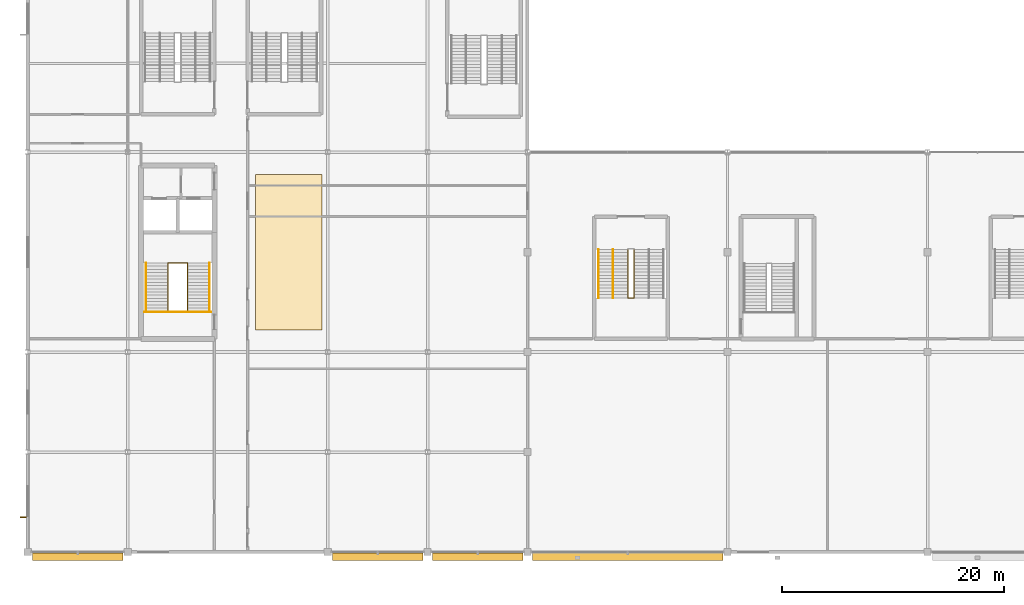
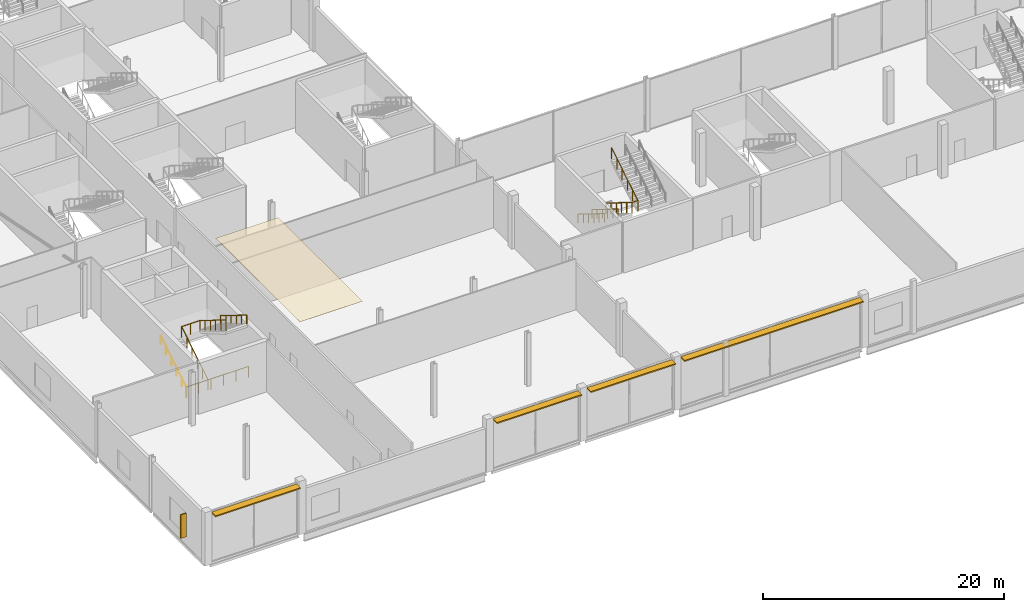
# One storey, part 96 of 111: 7 railings, 5 shading devices, 1 covering.
"""IFC4 building model written with IfcOpenShell, lengths in metres."""

from ifc_helpers import new_model, si_unit, direction, frame, origin, origin_2d, place, context, subcontext, project, spatial, polyline, rectangle, circle, outline, extrude, material, layer, layer_set, type_object, element, save


model = new_model("IFC4")

# Units and contexts
model_context = context("Model", 3, precision=1e-05, world=origin(), true_north=direction((0.0, 1.0)))
body_context = subcontext(model_context, "Body", "Model", "MODEL_VIEW")
ifc_project = project(units=[si_unit("LENGTHUNIT", "METRE"), si_unit("AREAUNIT", "SQUARE_METRE"), si_unit("VOLUMEUNIT", "CUBIC_METRE"), si_unit("PLANEANGLEUNIT", "RADIAN"), si_unit("MASSUNIT", "GRAM", prefix="KILO")], contexts=[model_context])

# Site, building, storey
site_placement = place(None, origin())
site = spatial("IfcSite", under=ifc_project, at=site_placement, CompositionType="ELEMENT")
building_placement = place(site_placement, origin())
building = spatial("IfcBuilding", under=site, at=building_placement, Name="Kisiwana Market Hall", CompositionType="ELEMENT")
storey_placement = place(building_placement, frame((0.0, 0.0, 11.39990234375)))
storey = spatial("IfcBuildingStorey", under=building, at=storey_placement, Name="L02", CompositionType="ELEMENT", Elevation=11.39990234375)

# Covering
ifc_material_1 = material(Name="Mineral-fibre acoustic ceiling board")
ifc_layer = layer(ifc_material_1, 0.02490234375)
ifc_layer_set = layer_set([ifc_layer], Name="COV-CEIL-AC")
covering_type = type_object("IfcCoveringType", Name="COV-CEIL-AC", PredefinedType="CEILING", material=ifc_layer_set)
covering_placement = place(storey_placement, frame((0.0, 0.0, 5.125)))
element("IfcCovering", 1, at=covering_placement, inside=storey, type_object=covering_type, Name="Acoustic ceiling grid L02-011", PredefinedType="CEILING", context=body_context, shape_type="SweptSolid", body=[
    extrude(outline(polyline([(20.5, 20.0), (26.5, 20.0), (26.5, 34.0), (20.5, 34.0), (20.5, 20.0)])), origin(), (0.0, 0.0, 1.0), 0.025146484375),
])

# Railings
ifc_material_2 = material(Name="Steel S275", Category="steel")
railing_type_1 = type_object("IfcRailingType", Name="RL-GUARD-1100", PredefinedType="GUARDRAIL", material=ifc_material_2)
railing_1_placement = place(storey_placement, frame((12.625, 21.674560546875, 0.0)))
element("IfcRailing", 2, at=railing_1_placement, inside=storey, type_object=railing_type_1, Name="Stair ST-W2-L02 inner-well guardrail (RL-475)", PredefinedType="GUARDRAIL", context=body_context, shape_type="SweptSolid", body=[
    extrude(circle(Radius=0.02392578125, at=origin_2d()), frame((0.0, 0.0, 1.076171875), z_axis=(0.0, 0.849615114927, 0.52740322002), x_axis=(-1.0, 0.0, 0.0)), (0.0, 0.0, 1.0), 5.119873046875),
    extrude(circle(Radius=0.02392578125, at=origin_2d()), frame((0.0, 4.349853515625, 3.7763671875), z_axis=(1.0, 0.0, 0.0), x_axis=(0.0, 1.0, 0.0)), (0.0, 0.0, 1.0), 1.75),
    extrude(circle(Radius=0.02392578125, at=origin_2d()), frame((1.75, 4.349853515625, 3.7763671875), z_axis=(0.0, -0.849636482215, 0.527368797038), x_axis=(1.0, 0.0, 0.0)), (0.0, 0.0, 1.0), 5.11962890625),
    extrude(circle(Radius=0.02099609375, at=origin_2d()), origin(), (0.0, 0.0, 1.0), 1.052001953125),
    extrude(circle(Radius=0.02099609375, at=origin_2d()), frame((0.0, 0.869873046875, 0.5400390625)), (0.0, 0.0, 1.0), 1.052001953125),
    extrude(circle(Radius=0.02099609375, at=origin_2d()), frame((0.0, 1.739990234375, 1.080078125)), (0.0, 0.0, 1.0), 1.052001953125),
    extrude(circle(Radius=0.02099609375, at=origin_2d()), frame((0.0, 2.60986328125, 1.6201171875)), (0.0, 0.0, 1.0), 1.052001953125),
    extrude(circle(Radius=0.02099609375, at=origin_2d()), frame((0.0, 3.47998046875, 2.16015625)), (0.0, 0.0, 1.0), 1.052001953125),
    extrude(circle(Radius=0.02099609375, at=origin_2d()), frame((0.0, 4.349853515625, 2.7001953125)), (0.0, 0.0, 1.0), 1.052001953125),
    extrude(circle(Radius=0.02099609375, at=origin_2d()), frame((0.875, 4.349853515625, 2.7001953125)), (0.0, 0.0, 1.0), 1.052001953125),
    extrude(circle(Radius=0.02099609375, at=origin_2d()), frame((1.75, 4.349853515625, 2.7001953125)), (0.0, 0.0, 1.0), 1.052001953125),
    extrude(circle(Radius=0.02099609375, at=origin_2d()), frame((1.75, 3.47998046875, 3.240234375)), (0.0, 0.0, 1.0), 1.052001953125),
    extrude(circle(Radius=0.02099609375, at=origin_2d()), frame((1.75, 2.60986328125, 3.7802734375)), (0.0, 0.0, 1.0), 1.052001953125),
    extrude(circle(Radius=0.02099609375, at=origin_2d()), frame((1.75, 1.739990234375, 4.320068359375)), (0.0, 0.0, 1.0), 1.052001953125),
    extrude(circle(Radius=0.02099609375, at=origin_2d()), frame((1.75, 0.869873046875, 4.860107421875)), (0.0, 0.0, 1.0), 1.052001953125),
    extrude(circle(Radius=0.02099609375, at=origin_2d()), frame((1.75, 0.0, 5.400146484375)), (0.0, 0.0, 1.0), 1.052001953125),
])
railing_2_placement = place(storey_placement, frame((10.5048828125, 21.594482421875, 0.0)))
element("IfcRailing", 3, at=railing_2_placement, inside=storey, type_object=railing_type_1, Name="Stair ST-W2-L02 landing edge guardrail (RL-478)", PredefinedType="GUARDRAIL", context=body_context, shape_type="SweptSolid", body=[
    extrude(circle(Radius=0.02392578125, at=origin_2d()), frame((0.0, 0.0, 1.076171875), z_axis=(1.0, 0.0, 0.0), x_axis=(0.0, 1.0, 0.0)), (0.0, 0.0, 1.0), 5.990234375),
    extrude(circle(Radius=0.02099609375, at=origin_2d()), origin(), (0.0, 0.0, 1.0), 1.052001953125),
    extrude(circle(Radius=0.02099609375, at=origin_2d()), frame((1.197998046875, 0.0, 0.0)), (0.0, 0.0, 1.0), 1.052001953125),
    extrude(circle(Radius=0.02099609375, at=origin_2d()), frame((2.39599609375, 0.0, 0.0)), (0.0, 0.0, 1.0), 1.052001953125),
    extrude(circle(Radius=0.02099609375, at=origin_2d()), frame((3.59423828125, 0.0, 0.0)), (0.0, 0.0, 1.0), 1.052001953125),
    extrude(circle(Radius=0.02099609375, at=origin_2d()), frame((4.792236328125, 0.0, 0.0)), (0.0, 0.0, 1.0), 1.052001953125),
    extrude(circle(Radius=0.02099609375, at=origin_2d()), frame((5.990234375, 0.0, 0.0)), (0.0, 0.0, 1.0), 1.052001953125),
])
railing_3_placement = place(storey_placement, frame((54.02001953125, 27.239990234375, 0.0)))
element("IfcRailing", 4, at=railing_3_placement, inside=storey, type_object=railing_type_1, Name="Stair ST-S3-L02 inner-well guardrail (RL-591)", PredefinedType="GUARDRAIL", context=body_context, shape_type="SweptSolid", body=[
    extrude(circle(Radius=0.02392578125, at=origin_2d()), frame((0.0, 0.0, 1.076171875), z_axis=(0.0, -0.849628378081, 0.527381853271), x_axis=(1.0, 0.0, 0.0)), (0.0, 0.0, 1.0), 5.1201171875),
    extrude(circle(Radius=0.02392578125, at=origin_2d()), frame((0.0, -4.35009765625, 3.7763671875), z_axis=(1.0, 0.0, 0.0), x_axis=(0.0, 1.0, 0.0)), (0.0, 0.0, 1.0), 0.56005859375),
    extrude(circle(Radius=0.02392578125, at=origin_2d()), frame((0.56005859375, -4.35009765625, 3.7763671875), z_axis=(0.0, 0.849649743971, 0.527347430608), x_axis=(-1.0, 0.0, 0.0)), (0.0, 0.0, 1.0), 5.119873046875),
    extrude(circle(Radius=0.02099609375, at=origin_2d()), origin(), (0.0, 0.0, 1.0), 1.052001953125),
    extrude(circle(Radius=0.02099609375, at=origin_2d()), frame((0.0, -0.8701171875, 0.5400390625)), (0.0, 0.0, 1.0), 1.052001953125),
    extrude(circle(Radius=0.02099609375, at=origin_2d()), frame((0.0, -1.739990234375, 1.080078125)), (0.0, 0.0, 1.0), 1.052001953125),
    extrude(circle(Radius=0.02099609375, at=origin_2d()), frame((0.0, -2.610107421875, 1.6201171875)), (0.0, 0.0, 1.0), 1.052001953125),
    extrude(circle(Radius=0.02099609375, at=origin_2d()), frame((0.0, -3.47998046875, 2.16015625)), (0.0, 0.0, 1.0), 1.052001953125),
    extrude(circle(Radius=0.02099609375, at=origin_2d()), frame((0.0, -4.35009765625, 2.7001953125)), (0.0, 0.0, 1.0), 1.052001953125),
    extrude(circle(Radius=0.02099609375, at=origin_2d()), frame((0.56005859375, -4.35009765625, 2.7001953125)), (0.0, 0.0, 1.0), 1.052001953125),
    extrude(circle(Radius=0.02099609375, at=origin_2d()), frame((0.56005859375, -3.47998046875, 3.240234375)), (0.0, 0.0, 1.0), 1.052001953125),
    extrude(circle(Radius=0.02099609375, at=origin_2d()), frame((0.56005859375, -2.610107421875, 3.7802734375)), (0.0, 0.0, 1.0), 1.052001953125),
    extrude(circle(Radius=0.02099609375, at=origin_2d()), frame((0.56005859375, -1.739990234375, 4.320068359375)), (0.0, 0.0, 1.0), 1.052001953125),
    extrude(circle(Radius=0.02099609375, at=origin_2d()), frame((0.56005859375, -0.8701171875, 4.860107421875)), (0.0, 0.0, 1.0), 1.052001953125),
    extrude(circle(Radius=0.02099609375, at=origin_2d()), frame((0.56005859375, 0.0, 5.400146484375)), (0.0, 0.0, 1.0), 1.052001953125),
])
ifc_material_3 = material(Name="Steel S275", Category="steel")
railing_type_2 = type_object("IfcRailingType", Name="RL-HAND-900", PredefinedType="HANDRAIL", material=ifc_material_3)
railing_4_placement = place(storey_placement, frame((10.635009765625, 21.674560546875, 0.0)))
element("IfcRailing", 5, at=railing_4_placement, inside=storey, type_object=railing_type_2, Name="Stair ST-W2-L02 flight 1 handrail (RL-476)", PredefinedType="HANDRAIL", context=body_context, shape_type="SweptSolid", body=[
    extrude(circle(Radius=0.02392578125, at=origin_2d()), frame((0.0, 0.0, 0.8759765625), z_axis=(0.0, 0.849615114927, 0.52740322002), x_axis=(-1.0, 0.0, 0.0)), (0.0, 0.0, 1.0), 5.119873046875),
    extrude(circle(Radius=0.02099609375, at=origin_2d()), origin(), (0.0, 0.0, 1.0), 0.851806640625),
    extrude(circle(Radius=0.02099609375, at=origin_2d()), frame((0.0, 0.869873046875, 0.5400390625)), (0.0, 0.0, 1.0), 0.851806640625),
    extrude(circle(Radius=0.02099609375, at=origin_2d()), frame((0.0, 1.739990234375, 1.080078125)), (0.0, 0.0, 1.0), 0.851806640625),
    extrude(circle(Radius=0.02099609375, at=origin_2d()), frame((0.0, 2.60986328125, 1.6201171875)), (0.0, 0.0, 1.0), 0.851806640625),
    extrude(circle(Radius=0.02099609375, at=origin_2d()), frame((0.0, 3.47998046875, 2.16015625)), (0.0, 0.0, 1.0), 0.851806640625),
    extrude(circle(Radius=0.02099609375, at=origin_2d()), frame((0.0, 4.349853515625, 2.7001953125)), (0.0, 0.0, 1.0), 0.851806640625),
])
railing_5_placement = place(storey_placement, frame((16.364990234375, 26.0244140625, 2.7001953125)))
element("IfcRailing", 6, at=railing_5_placement, inside=storey, type_object=railing_type_2, Name="Stair ST-W2-L02 flight 2 handrail (RL-477)", PredefinedType="HANDRAIL", context=body_context, shape_type="SweptSolid", body=[
    extrude(circle(Radius=0.02392578125, at=origin_2d()), frame((0.0, 0.0, 0.8759765625), z_axis=(0.0, -0.849636482215, 0.527368797038), x_axis=(1.0, 0.0, 0.0)), (0.0, 0.0, 1.0), 5.11962890625),
    extrude(circle(Radius=0.02099609375, at=origin_2d()), origin(), (0.0, 0.0, 1.0), 0.851806640625),
    extrude(circle(Radius=0.02099609375, at=origin_2d()), frame((0.0, -0.869873046875, 0.5400390625)), (0.0, 0.0, 1.0), 0.851806640625),
    extrude(circle(Radius=0.02099609375, at=origin_2d()), frame((0.0, -1.739990234375, 1.080078125)), (0.0, 0.0, 1.0), 0.851806640625),
    extrude(circle(Radius=0.02099609375, at=origin_2d()), frame((0.0, -2.60986328125, 1.619873046875)), (0.0, 0.0, 1.0), 0.851806640625),
    extrude(circle(Radius=0.02099609375, at=origin_2d()), frame((0.0, -3.47998046875, 2.159912109375)), (0.0, 0.0, 1.0), 0.851806640625),
    extrude(circle(Radius=0.02099609375, at=origin_2d()), frame((0.0, -4.349853515625, 2.699951171875)), (0.0, 0.0, 1.0), 0.851806640625),
])
for number, where, name in (
    (7, (51.3701171875, 27.239990234375, 0.0), "Stair ST-S3-L02 flight 1 handrail (RL-592)"),
    (8, (52.68994140625, 27.239990234375, 0.0), "Stair ST-S3-L02 flight 1 intermediate handrail (RL-594)"),
):
    element("IfcRailing", number, at=place(storey_placement, frame(where)), inside=storey, type_object=railing_type_2, Name=name, PredefinedType="HANDRAIL", context=body_context, shape_type="SweptSolid", body=[
        extrude(circle(Radius=0.02392578125, at=origin_2d()), frame((0.0, 0.0, 0.8759765625), z_axis=(0.0, -0.849628378081, 0.527381853271), x_axis=(1.0, 0.0, 0.0)), (0.0, 0.0, 1.0), 5.1201171875),
        extrude(circle(Radius=0.02099609375, at=origin_2d()), origin(), (0.0, 0.0, 1.0), 0.851806640625),
        extrude(circle(Radius=0.02099609375, at=origin_2d()), frame((0.0, -0.8701171875, 0.5400390625)), (0.0, 0.0, 1.0), 0.851806640625),
        extrude(circle(Radius=0.02099609375, at=origin_2d()), frame((0.0, -1.739990234375, 1.080078125)), (0.0, 0.0, 1.0), 0.851806640625),
        extrude(circle(Radius=0.02099609375, at=origin_2d()), frame((0.0, -2.610107421875, 1.6201171875)), (0.0, 0.0, 1.0), 0.851806640625),
        extrude(circle(Radius=0.02099609375, at=origin_2d()), frame((0.0, -3.47998046875, 2.16015625)), (0.0, 0.0, 1.0), 0.851806640625),
        extrude(circle(Radius=0.02099609375, at=origin_2d()), frame((0.0, -4.35009765625, 2.7001953125)), (0.0, 0.0, 1.0), 0.851806640625),
    ])

# Shading devices
ifc_material_4 = material(Name="Aluminium alloy 6063-T6", Category="aluminium")
shading_device_type_1 = type_object("IfcShadingDeviceType", Name="SHD-JALOUSIE-H", PredefinedType="JALOUSIE", material=ifc_material_4)
for number, where, z_axis, x_axis, name in (
    (9, (4.5, -0.419921875, 4.969970703125), (0.0, 0.0, 1.0), (1.0, 0.0, 0.0), "Aluminium brise-soleil louvre SHD-039 SD-039"),
    (10, (31.5, -0.419921875, 4.969970703125), (0.0, 0.0, 1.0), (1.0, 0.0, 0.0), "Aluminium brise-soleil louvre SHD-040 SD-040"),
    (11, (40.5, -0.419921875, 4.969970703125), (0.0, 0.0, 1.0), (1.0, 0.0, 0.0), "Aluminium brise-soleil louvre SHD-041 SD-041"),
):
    element("IfcShadingDevice", number, at=place(storey_placement, frame(where, z_axis=z_axis, x_axis=x_axis)), inside=storey, type_object=shading_device_type_1, Name=name, PredefinedType="JALOUSIE", context=body_context, shape_type="SweptSolid", body=[
        extrude(rectangle(XDim=8.14990234375, YDim=0.64990234375, at=origin_2d()), origin(), (0.0, 0.0, 1.0), 0.1201171875),
    ])
shading_device_1_placement = place(storey_placement, frame((54.0, -0.419921875, 4.969970703125), z_axis=(0.0, 0.0, 1.0), x_axis=(1.0, 0.0, 0.0)))
element("IfcShadingDevice", 12, at=shading_device_1_placement, inside=storey, type_object=shading_device_type_1, Name="Aluminium brise-soleil louvre SHD-042 SD-042", PredefinedType="JALOUSIE", context=body_context, shape_type="SweptSolid", body=[
    extrude(rectangle(XDim=17.14990234375, YDim=0.64990234375, at=origin_2d()), origin(), (0.0, 0.0, 1.0), 0.1201171875),
])
ifc_material_5 = material(Name="Aluminium alloy 6063-T6", Category="aluminium")
shading_device_type_2 = type_object("IfcShadingDeviceType", Name="SHD-SHUTTER-V", PredefinedType="SHUTTER", material=ifc_material_5)
shading_device_2_placement = place(storey_placement, frame((-0.419921875, 3.13427734375, 0.85009765625), z_axis=(0.0, 0.0, 1.0), x_axis=(0.0, 1.0, 0.0)))
element("IfcShadingDevice", 13, at=shading_device_2_placement, inside=storey, type_object=shading_device_type_2, Name="Vertical solar fin SHD-057 SD-057", PredefinedType="SHUTTER", context=body_context, shape_type="SweptSolid", body=[
    extrude(rectangle(XDim=0.1201171875, YDim=0.550048828125, at=origin_2d()), origin(), (0.0, 0.0, 1.0), 2.39990234375),
])

save(model, "model.ifc")
